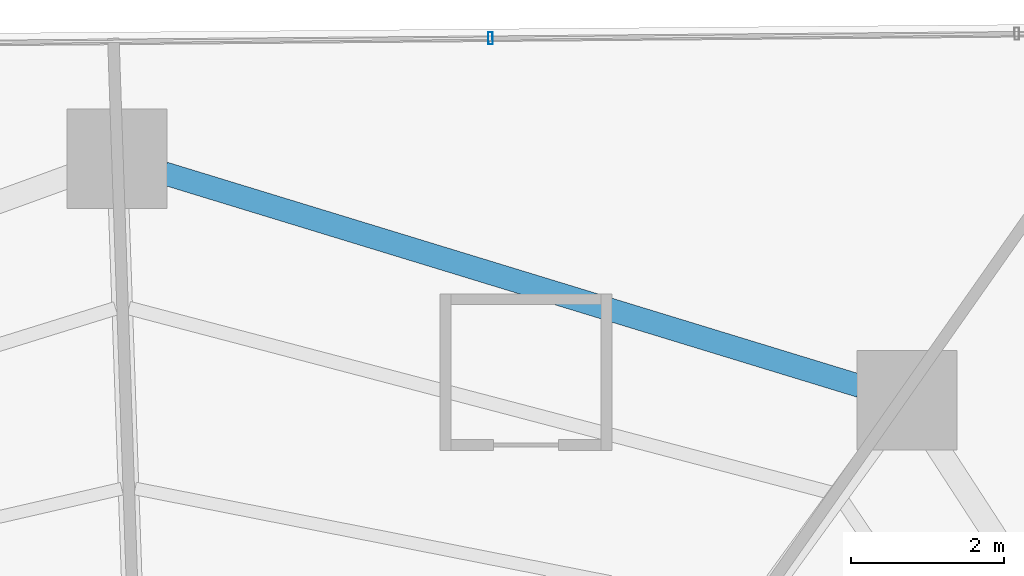
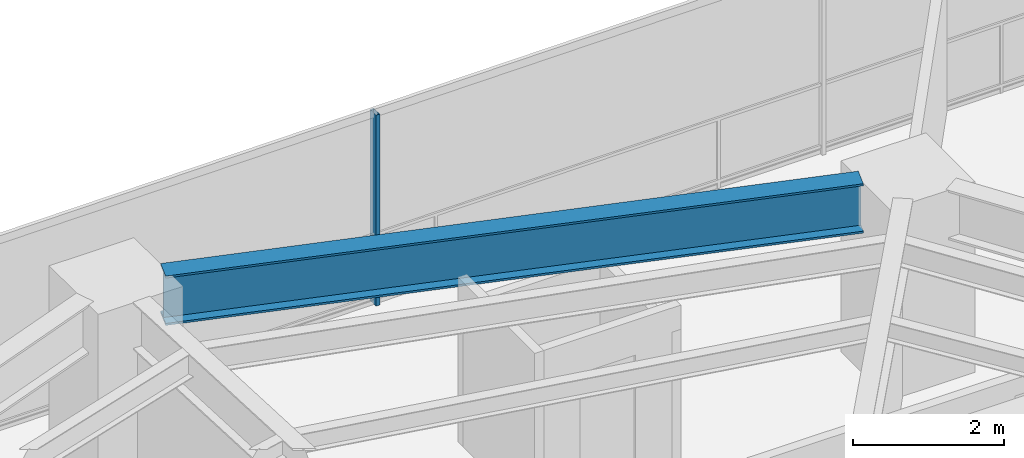
# One storey, part 21 of 31: 1 beam, 1 member, 1 element without a shape of its own.
"""IFC4 building model written with IfcOpenShell, lengths in metres."""

import ifcopenshell
import ifcopenshell.guid

model = None  # the IFC model being written
_history = None  # IfcOwnerHistory: only IFC2X3 demands one
_inside = {}  # id of a spatial element -> (the spatial element, [elements in it])
_under = {}  # id of a project, library or spatial element -> (it, [spatial elements below it])
_declared = {}  # id of a project -> (the project, [libraries it declares])
_typed = {}  # id of a type object -> (the type object, [elements of that type])
_made_of = {}  # id of a material, layer set ... -> (it, [elements and type objects made of it])


def new_model(schema):
    """Start an empty IFC model of exactly this schema.

    Asked for "IFC4X3", IfcOpenShell would pick the latest addendum, in which some entities
    have other attributes; the version numbers below select the first issue.
    IFC2X3 requires an IfcOwnerHistory on every rooted entity: one is made here for all.
    """
    global model, _history
    if schema == "IFC4X3":
        model = ifcopenshell.file(schema_version=(4, 3, 0, 0))
    else:
        model = ifcopenshell.file(schema=schema)
    _inside.clear()
    _under.clear()
    _declared.clear()
    _typed.clear()
    _made_of.clear()
    _history = None
    if model.schema == "IFC2X3":
        org = make("IfcOrganization", Name="unknown")
        user = make(
            "IfcPersonAndOrganization",
            ThePerson=make("IfcPerson", FamilyName="unknown"),
            TheOrganization=org,
        )
        app = make(
            "IfcApplication",
            ApplicationDeveloper=org,
            Version="unknown",
            ApplicationFullName="unknown",
            ApplicationIdentifier="unknown",
        )
        _history = make(
            "IfcOwnerHistory",
            OwningUser=user,
            OwningApplication=app,
            ChangeAction="ADDED",
            CreationDate=0,
        )
    return model


def make(cls, **values):
    """One entity of the class cls with the attributes given. An attribute that is None is left unset."""
    return model.create_entity(
        cls, **{name: value for name, value in values.items() if value is not None}
    )


def rooted(cls, **values):
    """An entity with a GlobalId (a new one), such as an element, a storey or a relation."""
    return make(cls, GlobalId=ifcopenshell.guid.new(), OwnerHistory=_history, **values)


def si_unit(unit_type, name, prefix=None):
    """IfcSIUnit, for example si_unit("LENGTHUNIT", "METRE", prefix="MILLI")."""
    return make("IfcSIUnit", UnitType=unit_type, Prefix=prefix, Name=name)


def assignment(units):
    """IfcUnitAssignment: the units of a project."""
    return None if units is None else make("IfcUnitAssignment", Units=units)


def point(xyz):
    """IfcCartesianPoint."""
    return None if xyz is None else make("IfcCartesianPoint", Coordinates=xyz)


def direction(xyz):
    """IfcDirection."""
    return None if xyz is None else make("IfcDirection", DirectionRatios=xyz)


def frame(location, z_axis=None, x_axis=None):
    """IfcAxis2Placement3D, a coordinate frame: its origin and axes. An axis left out is left unset."""
    return make(
        "IfcAxis2Placement3D",
        Location=point(location),
        Axis=direction(z_axis),
        RefDirection=direction(x_axis),
    )


def frame_2d(location, x_axis=None):
    """IfcAxis2Placement2D, a coordinate frame in the plane: its origin and x axis."""
    return make(
        "IfcAxis2Placement2D", Location=point(location), RefDirection=direction(x_axis)
    )


def origin():
    """The frame at (0, 0, 0) with its axes left unset."""
    return frame((0.0, 0.0, 0.0))


def origin_2d():
    """The frame at (0, 0) in the plane with its x axis left unset."""
    return frame_2d((0.0, 0.0))


def place(relative_to, where):
    """IfcLocalPlacement: puts the frame where relative to a parent placement (None: the world)."""
    return make(
        "IfcLocalPlacement", PlacementRelTo=relative_to, RelativePlacement=where
    )


def context(
    kind, dimensions, precision=None, world=None, true_north=None, identifier=None
):
    """IfcGeometricRepresentationContext, for example the 3D "Model" context."""
    return make(
        "IfcGeometricRepresentationContext",
        ContextIdentifier=identifier,
        ContextType=kind,
        CoordinateSpaceDimension=dimensions,
        Precision=precision,
        WorldCoordinateSystem=world,
        TrueNorth=true_north,
    )


def subcontext(parent, identifier, kind, view, scale=None):
    """IfcGeometricRepresentationSubContext, for example "Body" below "Model"."""
    return make(
        "IfcGeometricRepresentationSubContext",
        ContextIdentifier=identifier,
        ContextType=kind,
        ParentContext=parent,
        TargetScale=scale,
        TargetView=view,
    )


def project(units=None, contexts=None):
    """IfcProject with its units and contexts."""
    return rooted(
        "IfcProject",
        Name="project",
        RepresentationContexts=contexts,
        UnitsInContext=assignment(units),
    )


def spatial(cls, under=None, at=None, **own):
    """A site, building, storey or space (cls), placed at a placement, below another one or the project."""
    s = rooted(cls, ObjectPlacement=at, **own)
    if under is not None:
        _under.setdefault(under.id(), (under, []))[1].append(s)
    return s


def profile(cls, at=None, kind="AREA", **sizes):
    """A parametric profile (cls). Its sizes go by their IFC names, for example OverallWidth=200.0."""
    return make(cls, ProfileType=kind, Position=at, **sizes)


def hollow_rectangle(**sizes):
    """IfcRectangleHollowProfileDef."""
    return profile("IfcRectangleHollowProfileDef", **sizes)


def i_section(**sizes):
    """IfcIShapeProfileDef."""
    return profile("IfcIShapeProfileDef", **sizes)


def extrude(swept, where, along, depth):
    """IfcExtrudedAreaSolid: the profile swept, set in the frame where, extruded along a direction by depth."""
    return make(
        "IfcExtrudedAreaSolid",
        SweptArea=swept,
        Position=where,
        ExtrudedDirection=direction(along),
        Depth=depth,
    )


def shape(context_of_items, identifier, shape_type, items):
    """IfcShapeRepresentation: the items that make up one representation, for example the "Body"."""
    return make(
        "IfcShapeRepresentation",
        ContextOfItems=context_of_items,
        RepresentationIdentifier=identifier,
        RepresentationType=shape_type,
        Items=items,
    )


def material(Name=None, Category=None):
    """IfcMaterial."""
    return make("IfcMaterial", Name=Name, Category=Category)


def layer(
    of_material, thickness, ventilated=None, Name=None, Category=None, Priority=None
):
    """IfcMaterialLayer: one layer of a wall or slab, of a material (None: an air gap)."""
    return make(
        "IfcMaterialLayer",
        Material=of_material,
        LayerThickness=thickness,
        IsVentilated=ventilated,
        Name=Name,
        Category=Category,
        Priority=Priority,
    )


def layer_set(layers, Name=None):
    """IfcMaterialLayerSet."""
    return make("IfcMaterialLayerSet", MaterialLayers=layers, LayerSetName=Name)


def material_profile(
    of_material, cross_section, Name=None, Category=None, Priority=None
):
    """IfcMaterialProfile: a cross section and its material."""
    return make(
        "IfcMaterialProfile",
        Name=Name,
        Material=of_material,
        Profile=cross_section,
        Priority=Priority,
        Category=Category,
    )


def profile_set(profiles, Name=None, composite=None):
    """IfcMaterialProfileSet."""
    return make(
        "IfcMaterialProfileSet",
        Name=Name,
        MaterialProfiles=profiles,
        CompositeProfile=composite,
    )


def made_of(thing, what):
    """Note that an element or type object is made of a material, layer set ...; save() writes the relation."""
    if what is not None:
        _made_of.setdefault(what.id(), (what, []))[1].append(thing)
    return thing


def type_object(cls, material=None, **own):
    """A type object (cls), such as IfcWallType, which elements share."""
    return made_of(rooted(cls, **own), material)


def element(
    cls,
    number,
    at=None,
    inside=None,
    cuts=None,
    type_object=None,
    material=None,
    context=None,
    identifier="Body",
    shape_type=None,
    held_by="IfcProductDefinitionShape",
    body=None,
    shapes=None,
    **own,
):
    """One element of the class cls, such as IfcWall. Its Tag is "e" and its number.

    at: its placement. inside: the storey or other place that contains it. cuts: it is an
    opening in that element (IfcRelVoidsElement). A single representation is given by context,
    identifier, shape_type and body (its items); several are given by shapes. held_by: the class
    of the entity that holds the representations. save() writes the other relations.
    """
    e = rooted(cls, Tag="e%d" % number, ObjectPlacement=at, **own)
    if body is not None:
        shapes = [shape(context, identifier, shape_type, body)]
    if shapes is not None:
        e.Representation = make(held_by, Representations=shapes)
    if inside is not None:
        _inside.setdefault(inside.id(), (inside, []))[1].append(e)
    if cuts is not None:
        rooted(
            "IfcRelVoidsElement", RelatingBuildingElement=cuts, RelatedOpeningElement=e
        )
    if type_object is not None:
        _typed.setdefault(type_object.id(), (type_object, []))[1].append(e)
    return made_of(e, material)


def aggregate(whole, parts):
    """IfcRelAggregates: a whole, such as a stair, and the parts it consists of."""
    return rooted("IfcRelAggregates", RelatingObject=whole, RelatedObjects=parts)


def save(model, path):
    """Write the relations noted so far, then the file.

    IfcRelAggregates (storeys below a building ...), IfcRelContainedInSpatialStructure (elements
    in a storey), IfcRelDefinesByType, IfcRelAssociatesMaterial and IfcRelDeclares: one each for
    every whole, place, type object, material and project.
    """
    for whole, parts in _under.values():
        aggregate(whole, parts)
    for where, things in _inside.values():
        rooted(
            "IfcRelContainedInSpatialStructure",
            RelatedElements=things,
            RelatingStructure=where,
        )
    for kind, things in _typed.values():
        rooted("IfcRelDefinesByType", RelatedObjects=things, RelatingType=kind)
    for what, things in _made_of.values():
        rooted("IfcRelAssociatesMaterial", RelatedObjects=things, RelatingMaterial=what)
    for by, libraries in _declared.values():
        rooted("IfcRelDeclares", RelatingContext=by, RelatedDefinitions=libraries)
    model.write(path)


model = new_model("IFC4")

# Units and contexts
model_context = context("Model", 3, precision=1e-05, world=origin(), true_north=direction((0.0, 1.0)))
body_context = subcontext(model_context, "Body", "Model", "MODEL_VIEW")
ifc_project = project(units=[si_unit("LENGTHUNIT", "METRE"), si_unit("AREAUNIT", "SQUARE_METRE"), si_unit("VOLUMEUNIT", "CUBIC_METRE"), si_unit("PLANEANGLEUNIT", "RADIAN"), si_unit("MASSUNIT", "GRAM", prefix="KILO")], contexts=[model_context])

# Site, building, storey
site_placement = place(None, origin())
site = spatial("IfcSite", under=ifc_project, at=site_placement, CompositionType="ELEMENT")
building_placement = place(site_placement, origin())
building = spatial("IfcBuilding", under=site, at=building_placement, Name="Qarnah Convention Tower", CompositionType="ELEMENT")
storey_placement = place(building_placement, frame((0.0, 0.0, 68.39990234375)))
storey = spatial("IfcBuildingStorey", under=building, at=storey_placement, Name="L17", CompositionType="ELEMENT", Elevation=68.39990234375)

# Beam
ifc_material_1 = material(Name="Structural steel S355JR", Category="steel")
ifc_material_profile_1 = material_profile(ifc_material_1, i_section(OverallWidth=0.300048828125, OverallDepth=0.800048828125, WebThickness=0.01806640625, FlangeThickness=0.032958984375, at=origin_2d()), Name="HEB800")
ifc_profile_set_1 = profile_set([ifc_material_profile_1], Name="Structural steel S355JR")
beam_type = type_object("IfcBeamType", Name="BM-RING-HEB800", PredefinedType="BEAM", material=ifc_profile_set_1)
beam_placement = place(storey_placement, frame((46.31591796875, 39.97607421875, 2.690185546875), z_axis=(-0.956298871663, 0.292390950707, 0.0), x_axis=(-0.292390950707, -0.956298871663, 0.0)))
element("IfcBeam", 1, at=beam_placement, inside=storey, type_object=beam_type, Name="L17 beam BM-L17-SPN-02", PredefinedType="BEAM", context=body_context, shape_type="SweptSolid", body=[
    extrude(i_section(OverallWidth=0.300048828125, OverallDepth=0.800048828125, WebThickness=0.01806640625, FlangeThickness=0.032958984375, at=origin_2d()), origin(), (0.0, 0.0, 1.0), 9.4970703125),
])

# Curtain wall, member
ifc_material_2 = material(Name="Tempered Low-E dark glass", Category="glass")
ifc_layer = layer(ifc_material_2, 0.16796875)
ifc_layer_set = layer_set([ifc_layer], Name="Tempered Low-E dark glass")
curtain_wall_type = type_object("IfcCurtainWallType", Name="CWS-01", PredefinedType="NOTDEFINED", material=ifc_layer_set)
curtain_wall_placement = place(storey_placement, origin())
curtain_wall = element("IfcCurtainWall", 2, at=curtain_wall_placement, inside=storey, type_object=curtain_wall_type, Name="L17 unitised curtain wall CW-L17-F2", PredefinedType="NOTDEFINED")
ifc_material_3 = material(Name="Black anodised aluminium", Category="aluminium")
ifc_material_profile_2 = material_profile(ifc_material_3, hollow_rectangle(XDim=0.06005859375, YDim=0.159912109375, WallThickness=0.00390625, at=origin_2d()), Name="MUL-60X160")
ifc_profile_set_2 = profile_set([ifc_material_profile_2], Name="Black anodised aluminium")
member_type = type_object("IfcMemberType", Name="MUL-T1", PredefinedType="MULLION", material=ifc_profile_set_2)
member_placement = place(storey_placement, frame((41.494140625, 44.5146484375, 0.0), z_axis=(0.0, 0.0, 1.0), x_axis=(0.999965303838, 0.008330133284, 0.0)))
member = element("IfcMember", 3, at=member_placement, type_object=member_type, Name="CW-L17-F2 mullion 4", PredefinedType="MULLION", context=body_context, shape_type="SweptSolid", body=[
    extrude(hollow_rectangle(XDim=0.06005859375, YDim=0.159912109375, WallThickness=0.00390625, at=origin_2d()), origin(), (0.0, 0.0, 1.0), 3.090087890625),
])
aggregate(curtain_wall, [member])

save(model, "model.ifc")
